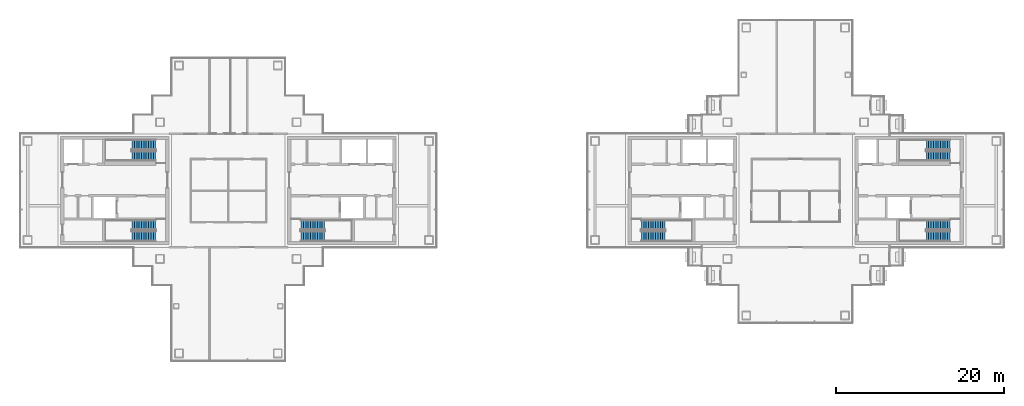
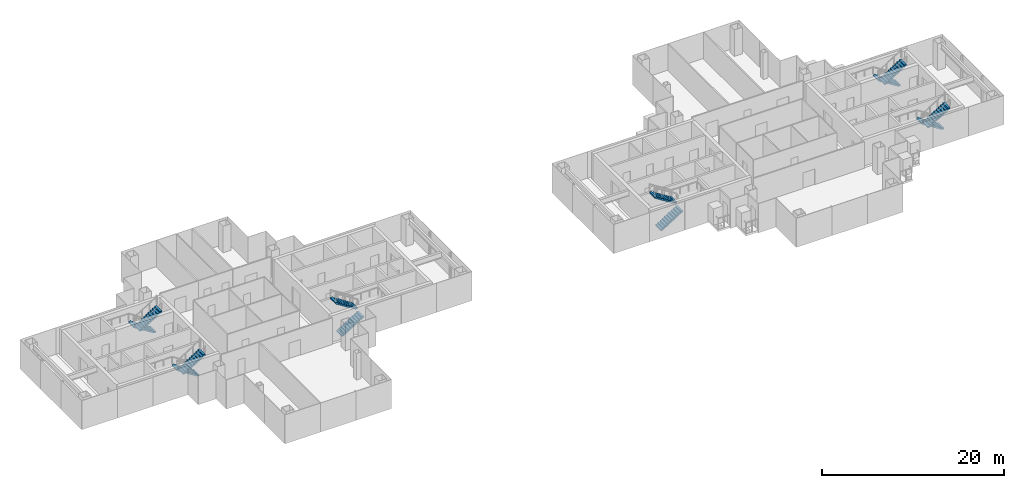
# One storey, part 13 of 16: 12 stair flights, 6 elements without a shape of their own.
"""IFC4 building model written with IfcOpenShell, lengths in metres."""

from ifc_helpers import new_model, si_unit, direction, frame, origin, place, context, subcontext, project, spatial, polyline, outline, extrude, material, type_object, element, aggregate, save


model = new_model("IFC4")

# Units and contexts
model_context = context("Model", 3, precision=1e-05, world=origin(), true_north=direction((0.0, 1.0)))
body_context = subcontext(model_context, "Body", "Model", "MODEL_VIEW")
ifc_project = project(units=[si_unit("LENGTHUNIT", "METRE"), si_unit("AREAUNIT", "SQUARE_METRE"), si_unit("VOLUMEUNIT", "CUBIC_METRE"), si_unit("PLANEANGLEUNIT", "RADIAN"), si_unit("MASSUNIT", "GRAM", prefix="KILO")], contexts=[model_context])

# Site, building, storey
site_placement = place(None, origin())
site = spatial("IfcSite", under=ifc_project, at=site_placement, CompositionType="ELEMENT")
building_placement = place(site_placement, origin())
building = spatial("IfcBuilding", under=site, at=building_placement, Name="Shamsa Quay Exchange Towers", CompositionType="ELEMENT")
storey_placement = place(building_placement, frame((0.0, 0.0, 186.60009765625)))
storey = spatial("IfcBuildingStorey", under=building, at=storey_placement, Name="L44", CompositionType="ELEMENT", Elevation=186.60009765625)

# Stair, stair flights
ifc_material = material(Name="Concrete C40/50", Category="concrete")
stair_type = type_object("IfcStairType", Name="EXIT STAIR 22 RISERS 177 MM", PredefinedType="HALF_TURN_STAIR", material=ifc_material)
stair_1_placement = place(storey_placement, origin())
stair_1 = element("IfcStair", 1, at=stair_1_placement, inside=storey, type_object=stair_type, Name="L44 Exit stair ST1", PredefinedType="HALF_TURN_STAIR")
stair_flight_type = type_object("IfcStairFlightType", Name="EXIT STAIR FLIGHT 11 RISERS 177 MM", PredefinedType="STRAIGHT", material=ifc_material)
stair_flight_1_placement = place(storey_placement, frame((-25.10009765625, -5.449951171875, 0.0)))
stair_flight_1 = element("IfcStairFlight", 2, at=stair_flight_1_placement, type_object=stair_flight_type, Name="ST1 flight 1", NumberOfRisers=11, NumberOfTreads=10, PredefinedType="STRAIGHT", RiserHeight=0.177272727, TreadLength=0.28, context=body_context, shape_type="SweptSolid", body=[
    extrude(outline(polyline([(0.0, 0.0), (0.0, 0.17724609375), (0.280029296875, 0.17724609375), (0.280029296875, 0.3544921875), (0.56005859375, 0.3544921875), (0.56005859375, 0.53173828125), (0.840087890625, 0.53173828125), (0.840087890625, 0.708984375), (1.1201171875, 0.708984375), (1.1201171875, 0.886474609375), (1.39990234375, 0.886474609375), (1.39990234375, 1.063720703125), (1.679931640625, 1.063720703125), (1.679931640625, 1.240966796875), (1.9599609375, 1.240966796875), (1.9599609375, 1.418212890625), (2.239990234375, 1.418212890625), (2.239990234375, 1.595458984375), (2.52001953125, 1.595458984375), (2.52001953125, 1.772705078125), (2.800048828125, 1.772705078125), (2.800048828125, 1.949951171875), (2.800048828125, 1.607177734375), (0.261474609375, 0.0), (0.0, 0.0)])), frame((0.0, 0.60009765625, 0.0), z_axis=(0.0, -1.0, 0.0), x_axis=(1.0, 0.0, 0.0)), (0.0, 0.0, 1.0), 1.199951171875),
])
stair_flight_2_placement = place(storey_placement, frame((-22.300048828125, -4.10009765625, 1.949951171875), z_axis=(0.0, 0.0, 1.0), x_axis=(-1.0, 0.0, 0.0)))
stair_flight_2 = element("IfcStairFlight", 3, at=stair_flight_2_placement, type_object=stair_flight_type, Name="ST1 flight 2", NumberOfRisers=11, NumberOfTreads=10, PredefinedType="STRAIGHT", RiserHeight=0.177272727, TreadLength=0.28, context=body_context, shape_type="SweptSolid", body=[
    extrude(outline(polyline([(0.0, 0.0), (0.0, 0.17724609375), (0.280029296875, 0.17724609375), (0.280029296875, 0.3544921875), (0.56005859375, 0.3544921875), (0.56005859375, 0.53173828125), (0.840087890625, 0.53173828125), (0.840087890625, 0.708984375), (1.1201171875, 0.708984375), (1.1201171875, 0.886474609375), (1.39990234375, 0.886474609375), (1.39990234375, 1.063720703125), (1.679931640625, 1.063720703125), (1.679931640625, 1.240966796875), (1.9599609375, 1.240966796875), (1.9599609375, 1.418212890625), (2.239990234375, 1.418212890625), (2.239990234375, 1.595458984375), (2.52001953125, 1.595458984375), (2.52001953125, 1.772705078125), (2.800048828125, 1.772705078125), (2.800048828125, 1.949951171875), (2.800048828125, 1.607177734375), (0.261474609375, 0.0), (0.0, 0.0)])), frame((0.0, 0.60009765625, 0.0), z_axis=(0.0, -1.0, 0.0), x_axis=(1.0, 0.0, 0.0)), (0.0, 0.0, 1.0), 1.199951171875),
])
aggregate(stair_1, [stair_flight_1, stair_flight_2])

stair_2_placement = place(storey_placement, origin())
stair_2 = element("IfcStair", 4, at=stair_2_placement, inside=storey, type_object=stair_type, Name="L44 Exit stair ST2", PredefinedType="HALF_TURN_STAIR")
stair_flight_3_placement = place(storey_placement, frame((-42.39990234375, -4.10009765625, 0.0), z_axis=(0.0, 0.0, 1.0), x_axis=(-1.0, 0.0, 0.0)))
stair_flight_3 = element("IfcStairFlight", 5, at=stair_flight_3_placement, type_object=stair_flight_type, Name="ST2 flight 1", NumberOfRisers=11, NumberOfTreads=10, PredefinedType="STRAIGHT", RiserHeight=0.177272727, TreadLength=0.28, context=body_context, shape_type="SweptSolid", body=[
    extrude(outline(polyline([(0.0, 0.0), (0.0, 0.17724609375), (0.280029296875, 0.17724609375), (0.280029296875, 0.3544921875), (0.56005859375, 0.3544921875), (0.56005859375, 0.53173828125), (0.840087890625, 0.53173828125), (0.840087890625, 0.708984375), (1.1201171875, 0.708984375), (1.1201171875, 0.886474609375), (1.39990234375, 0.886474609375), (1.39990234375, 1.063720703125), (1.679931640625, 1.063720703125), (1.679931640625, 1.240966796875), (1.9599609375, 1.240966796875), (1.9599609375, 1.418212890625), (2.239990234375, 1.418212890625), (2.239990234375, 1.595458984375), (2.52001953125, 1.595458984375), (2.52001953125, 1.772705078125), (2.800048828125, 1.772705078125), (2.800048828125, 1.949951171875), (2.800048828125, 1.607177734375), (0.261474609375, 0.0), (0.0, 0.0)])), frame((0.0, 0.60009765625, 0.0), z_axis=(0.0, -1.0, 0.0), x_axis=(1.0, 0.0, 0.0)), (0.0, 0.0, 1.0), 1.199951171875),
])
stair_flight_4_placement = place(storey_placement, frame((-45.199951171875, -5.449951171875, 1.949951171875)))
stair_flight_4 = element("IfcStairFlight", 6, at=stair_flight_4_placement, type_object=stair_flight_type, Name="ST2 flight 2", NumberOfRisers=11, NumberOfTreads=10, PredefinedType="STRAIGHT", RiserHeight=0.177272727, TreadLength=0.28, context=body_context, shape_type="SweptSolid", body=[
    extrude(outline(polyline([(0.0, 0.0), (0.0, 0.17724609375), (0.280029296875, 0.17724609375), (0.280029296875, 0.3544921875), (0.56005859375, 0.3544921875), (0.56005859375, 0.53173828125), (0.840087890625, 0.53173828125), (0.840087890625, 0.708984375), (1.1201171875, 0.708984375), (1.1201171875, 0.886474609375), (1.39990234375, 0.886474609375), (1.39990234375, 1.063720703125), (1.679931640625, 1.063720703125), (1.679931640625, 1.240966796875), (1.9599609375, 1.240966796875), (1.9599609375, 1.418212890625), (2.239990234375, 1.418212890625), (2.239990234375, 1.595458984375), (2.52001953125, 1.595458984375), (2.52001953125, 1.772705078125), (2.800048828125, 1.772705078125), (2.800048828125, 1.949951171875), (2.800048828125, 1.607177734375), (0.261474609375, 0.0), (0.0, 0.0)])), frame((0.0, 0.60009765625, 0.0), z_axis=(0.0, -1.0, 0.0), x_axis=(1.0, 0.0, 0.0)), (0.0, 0.0, 1.0), 1.199951171875),
])
aggregate(stair_2, [stair_flight_3, stair_flight_4])

stair_3_placement = place(storey_placement, origin())
stair_3 = element("IfcStair", 7, at=stair_3_placement, inside=storey, type_object=stair_type, Name="L44 Exit stair ST3", PredefinedType="HALF_TURN_STAIR")
stair_flight_5_placement = place(storey_placement, frame((-42.39990234375, 5.449951171875, 0.0), z_axis=(0.0, 0.0, 1.0), x_axis=(-1.0, 0.0, 0.0)))
stair_flight_5 = element("IfcStairFlight", 8, at=stair_flight_5_placement, type_object=stair_flight_type, Name="ST3 flight 1", NumberOfRisers=11, NumberOfTreads=10, PredefinedType="STRAIGHT", RiserHeight=0.177272727, TreadLength=0.28, context=body_context, shape_type="SweptSolid", body=[
    extrude(outline(polyline([(0.0, 0.0), (0.0, 0.17724609375), (0.280029296875, 0.17724609375), (0.280029296875, 0.3544921875), (0.56005859375, 0.3544921875), (0.56005859375, 0.53173828125), (0.840087890625, 0.53173828125), (0.840087890625, 0.708984375), (1.1201171875, 0.708984375), (1.1201171875, 0.886474609375), (1.39990234375, 0.886474609375), (1.39990234375, 1.063720703125), (1.679931640625, 1.063720703125), (1.679931640625, 1.240966796875), (1.9599609375, 1.240966796875), (1.9599609375, 1.418212890625), (2.239990234375, 1.418212890625), (2.239990234375, 1.595458984375), (2.52001953125, 1.595458984375), (2.52001953125, 1.772705078125), (2.800048828125, 1.772705078125), (2.800048828125, 1.949951171875), (2.800048828125, 1.607177734375), (0.261474609375, 0.0), (0.0, 0.0)])), frame((0.0, 0.60009765625, 0.0), z_axis=(0.0, -1.0, 0.0), x_axis=(1.0, 0.0, 0.0)), (0.0, 0.0, 1.0), 1.199951171875),
])
stair_flight_6_placement = place(storey_placement, frame((-45.199951171875, 4.10009765625, 1.949951171875)))
stair_flight_6 = element("IfcStairFlight", 9, at=stair_flight_6_placement, type_object=stair_flight_type, Name="ST3 flight 2", NumberOfRisers=11, NumberOfTreads=10, PredefinedType="STRAIGHT", RiserHeight=0.177272727, TreadLength=0.28, context=body_context, shape_type="SweptSolid", body=[
    extrude(outline(polyline([(0.0, 0.0), (0.0, 0.17724609375), (0.280029296875, 0.17724609375), (0.280029296875, 0.3544921875), (0.56005859375, 0.3544921875), (0.56005859375, 0.53173828125), (0.840087890625, 0.53173828125), (0.840087890625, 0.708984375), (1.1201171875, 0.708984375), (1.1201171875, 0.886474609375), (1.39990234375, 0.886474609375), (1.39990234375, 1.063720703125), (1.679931640625, 1.063720703125), (1.679931640625, 1.240966796875), (1.9599609375, 1.240966796875), (1.9599609375, 1.418212890625), (2.239990234375, 1.418212890625), (2.239990234375, 1.595458984375), (2.52001953125, 1.595458984375), (2.52001953125, 1.772705078125), (2.800048828125, 1.772705078125), (2.800048828125, 1.949951171875), (2.800048828125, 1.607177734375), (0.261474609375, 0.0), (0.0, 0.0)])), frame((0.0, 0.60009765625, 0.0), z_axis=(0.0, -1.0, 0.0), x_axis=(1.0, 0.0, 0.0)), (0.0, 0.0, 1.0), 1.199951171875),
])
aggregate(stair_3, [stair_flight_5, stair_flight_6])

stair_4_placement = place(storey_placement, origin())
stair_4 = element("IfcStair", 10, at=stair_4_placement, inside=storey, type_object=stair_type, Name="L44 Exit stair ST4", PredefinedType="HALF_TURN_STAIR")
stair_flight_7_placement = place(storey_placement, frame((15.39990234375, -5.449951171875, 0.0)))
stair_flight_7 = element("IfcStairFlight", 11, at=stair_flight_7_placement, type_object=stair_flight_type, Name="ST4 flight 1", NumberOfRisers=11, NumberOfTreads=10, PredefinedType="STRAIGHT", RiserHeight=0.177272727, TreadLength=0.28, context=body_context, shape_type="SweptSolid", body=[
    extrude(outline(polyline([(0.0, 0.0), (0.0, 0.17724609375), (0.280029296875, 0.17724609375), (0.280029296875, 0.3544921875), (0.56005859375, 0.3544921875), (0.56005859375, 0.53173828125), (0.840087890625, 0.53173828125), (0.840087890625, 0.708984375), (1.1201171875, 0.708984375), (1.1201171875, 0.886474609375), (1.39990234375, 0.886474609375), (1.39990234375, 1.063720703125), (1.679931640625, 1.063720703125), (1.679931640625, 1.240966796875), (1.9599609375, 1.240966796875), (1.9599609375, 1.418212890625), (2.239990234375, 1.418212890625), (2.239990234375, 1.595458984375), (2.52001953125, 1.595458984375), (2.52001953125, 1.772705078125), (2.800048828125, 1.772705078125), (2.800048828125, 1.949951171875), (2.800048828125, 1.607177734375), (0.261474609375, 0.0), (0.0, 0.0)])), frame((0.0, 0.60009765625, 0.0), z_axis=(0.0, -1.0, 0.0), x_axis=(1.0, 0.0, 0.0)), (0.0, 0.0, 1.0), 1.199951171875),
])
stair_flight_8_placement = place(storey_placement, frame((18.199951171875, -4.10009765625, 1.949951171875), z_axis=(0.0, 0.0, 1.0), x_axis=(-1.0, 0.0, 0.0)))
stair_flight_8 = element("IfcStairFlight", 12, at=stair_flight_8_placement, type_object=stair_flight_type, Name="ST4 flight 2", NumberOfRisers=11, NumberOfTreads=10, PredefinedType="STRAIGHT", RiserHeight=0.177272727, TreadLength=0.28, context=body_context, shape_type="SweptSolid", body=[
    extrude(outline(polyline([(0.0, 0.0), (0.0, 0.17724609375), (0.280029296875, 0.17724609375), (0.280029296875, 0.3544921875), (0.56005859375, 0.3544921875), (0.56005859375, 0.53173828125), (0.840087890625, 0.53173828125), (0.840087890625, 0.708984375), (1.1201171875, 0.708984375), (1.1201171875, 0.886474609375), (1.39990234375, 0.886474609375), (1.39990234375, 1.063720703125), (1.679931640625, 1.063720703125), (1.679931640625, 1.240966796875), (1.9599609375, 1.240966796875), (1.9599609375, 1.418212890625), (2.239990234375, 1.418212890625), (2.239990234375, 1.595458984375), (2.52001953125, 1.595458984375), (2.52001953125, 1.772705078125), (2.800048828125, 1.772705078125), (2.800048828125, 1.949951171875), (2.800048828125, 1.607177734375), (0.261474609375, 0.0), (0.0, 0.0)])), frame((0.0, 0.60009765625, 0.0), z_axis=(0.0, -1.0, 0.0), x_axis=(1.0, 0.0, 0.0)), (0.0, 0.0, 1.0), 1.199951171875),
])
aggregate(stair_4, [stair_flight_7, stair_flight_8])

stair_5_placement = place(storey_placement, origin())
stair_5 = element("IfcStair", 13, at=stair_5_placement, inside=storey, type_object=stair_type, Name="L44 Exit stair ST5", PredefinedType="HALF_TURN_STAIR")
stair_flight_9_placement = place(storey_placement, frame((52.10009765625, -4.10009765625, 0.0), z_axis=(0.0, 0.0, 1.0), x_axis=(-1.0, 0.0, 0.0)))
stair_flight_9 = element("IfcStairFlight", 14, at=stair_flight_9_placement, type_object=stair_flight_type, Name="ST5 flight 1", NumberOfRisers=11, NumberOfTreads=10, PredefinedType="STRAIGHT", RiserHeight=0.177272727, TreadLength=0.28, context=body_context, shape_type="SweptSolid", body=[
    extrude(outline(polyline([(0.0, 0.0), (0.0, 0.17724609375), (0.280029296875, 0.17724609375), (0.280029296875, 0.3544921875), (0.56005859375, 0.3544921875), (0.56005859375, 0.53173828125), (0.840087890625, 0.53173828125), (0.840087890625, 0.708984375), (1.1201171875, 0.708984375), (1.1201171875, 0.886474609375), (1.39990234375, 0.886474609375), (1.39990234375, 1.063720703125), (1.679931640625, 1.063720703125), (1.679931640625, 1.240966796875), (1.9599609375, 1.240966796875), (1.9599609375, 1.418212890625), (2.239990234375, 1.418212890625), (2.239990234375, 1.595458984375), (2.52001953125, 1.595458984375), (2.52001953125, 1.772705078125), (2.800048828125, 1.772705078125), (2.800048828125, 1.949951171875), (2.800048828125, 1.607177734375), (0.261474609375, 0.0), (0.0, 0.0)])), frame((0.0, 0.60009765625, 0.0), z_axis=(0.0, -1.0, 0.0), x_axis=(1.0, 0.0, 0.0)), (0.0, 0.0, 1.0), 1.199951171875),
])
stair_flight_10_placement = place(storey_placement, frame((49.300048828125, -5.449951171875, 1.949951171875)))
stair_flight_10 = element("IfcStairFlight", 15, at=stair_flight_10_placement, type_object=stair_flight_type, Name="ST5 flight 2", NumberOfRisers=11, NumberOfTreads=10, PredefinedType="STRAIGHT", RiserHeight=0.177272727, TreadLength=0.28, context=body_context, shape_type="SweptSolid", body=[
    extrude(outline(polyline([(0.0, 0.0), (0.0, 0.17724609375), (0.280029296875, 0.17724609375), (0.280029296875, 0.3544921875), (0.56005859375, 0.3544921875), (0.56005859375, 0.53173828125), (0.840087890625, 0.53173828125), (0.840087890625, 0.708984375), (1.1201171875, 0.708984375), (1.1201171875, 0.886474609375), (1.39990234375, 0.886474609375), (1.39990234375, 1.063720703125), (1.679931640625, 1.063720703125), (1.679931640625, 1.240966796875), (1.9599609375, 1.240966796875), (1.9599609375, 1.418212890625), (2.239990234375, 1.418212890625), (2.239990234375, 1.595458984375), (2.52001953125, 1.595458984375), (2.52001953125, 1.772705078125), (2.800048828125, 1.772705078125), (2.800048828125, 1.949951171875), (2.800048828125, 1.607177734375), (0.261474609375, 0.0), (0.0, 0.0)])), frame((0.0, 0.60009765625, 0.0), z_axis=(0.0, -1.0, 0.0), x_axis=(1.0, 0.0, 0.0)), (0.0, 0.0, 1.0), 1.199951171875),
])
aggregate(stair_5, [stair_flight_9, stair_flight_10])

stair_6_placement = place(storey_placement, origin())
stair_6 = element("IfcStair", 16, at=stair_6_placement, inside=storey, type_object=stair_type, Name="L44 Exit stair ST6", PredefinedType="HALF_TURN_STAIR")
stair_flight_11_placement = place(storey_placement, frame((52.10009765625, 5.449951171875, 0.0), z_axis=(0.0, 0.0, 1.0), x_axis=(-1.0, 0.0, 0.0)))
stair_flight_11 = element("IfcStairFlight", 17, at=stair_flight_11_placement, type_object=stair_flight_type, Name="ST6 flight 1", NumberOfRisers=11, NumberOfTreads=10, PredefinedType="STRAIGHT", RiserHeight=0.177272727, TreadLength=0.28, context=body_context, shape_type="SweptSolid", body=[
    extrude(outline(polyline([(0.0, 0.0), (0.0, 0.17724609375), (0.280029296875, 0.17724609375), (0.280029296875, 0.3544921875), (0.56005859375, 0.3544921875), (0.56005859375, 0.53173828125), (0.840087890625, 0.53173828125), (0.840087890625, 0.708984375), (1.1201171875, 0.708984375), (1.1201171875, 0.886474609375), (1.39990234375, 0.886474609375), (1.39990234375, 1.063720703125), (1.679931640625, 1.063720703125), (1.679931640625, 1.240966796875), (1.9599609375, 1.240966796875), (1.9599609375, 1.418212890625), (2.239990234375, 1.418212890625), (2.239990234375, 1.595458984375), (2.52001953125, 1.595458984375), (2.52001953125, 1.772705078125), (2.800048828125, 1.772705078125), (2.800048828125, 1.949951171875), (2.800048828125, 1.607177734375), (0.261474609375, 0.0), (0.0, 0.0)])), frame((0.0, 0.60009765625, 0.0), z_axis=(0.0, -1.0, 0.0), x_axis=(1.0, 0.0, 0.0)), (0.0, 0.0, 1.0), 1.199951171875),
])
stair_flight_12_placement = place(storey_placement, frame((49.300048828125, 4.10009765625, 1.949951171875)))
stair_flight_12 = element("IfcStairFlight", 18, at=stair_flight_12_placement, type_object=stair_flight_type, Name="ST6 flight 2", NumberOfRisers=11, NumberOfTreads=10, PredefinedType="STRAIGHT", RiserHeight=0.177272727, TreadLength=0.28, context=body_context, shape_type="SweptSolid", body=[
    extrude(outline(polyline([(0.0, 0.0), (0.0, 0.17724609375), (0.280029296875, 0.17724609375), (0.280029296875, 0.3544921875), (0.56005859375, 0.3544921875), (0.56005859375, 0.53173828125), (0.840087890625, 0.53173828125), (0.840087890625, 0.708984375), (1.1201171875, 0.708984375), (1.1201171875, 0.886474609375), (1.39990234375, 0.886474609375), (1.39990234375, 1.063720703125), (1.679931640625, 1.063720703125), (1.679931640625, 1.240966796875), (1.9599609375, 1.240966796875), (1.9599609375, 1.418212890625), (2.239990234375, 1.418212890625), (2.239990234375, 1.595458984375), (2.52001953125, 1.595458984375), (2.52001953125, 1.772705078125), (2.800048828125, 1.772705078125), (2.800048828125, 1.949951171875), (2.800048828125, 1.607177734375), (0.261474609375, 0.0), (0.0, 0.0)])), frame((0.0, 0.60009765625, 0.0), z_axis=(0.0, -1.0, 0.0), x_axis=(1.0, 0.0, 0.0)), (0.0, 0.0, 1.0), 1.199951171875),
])
aggregate(stair_6, [stair_flight_11, stair_flight_12])

save(model, "model.ifc")
